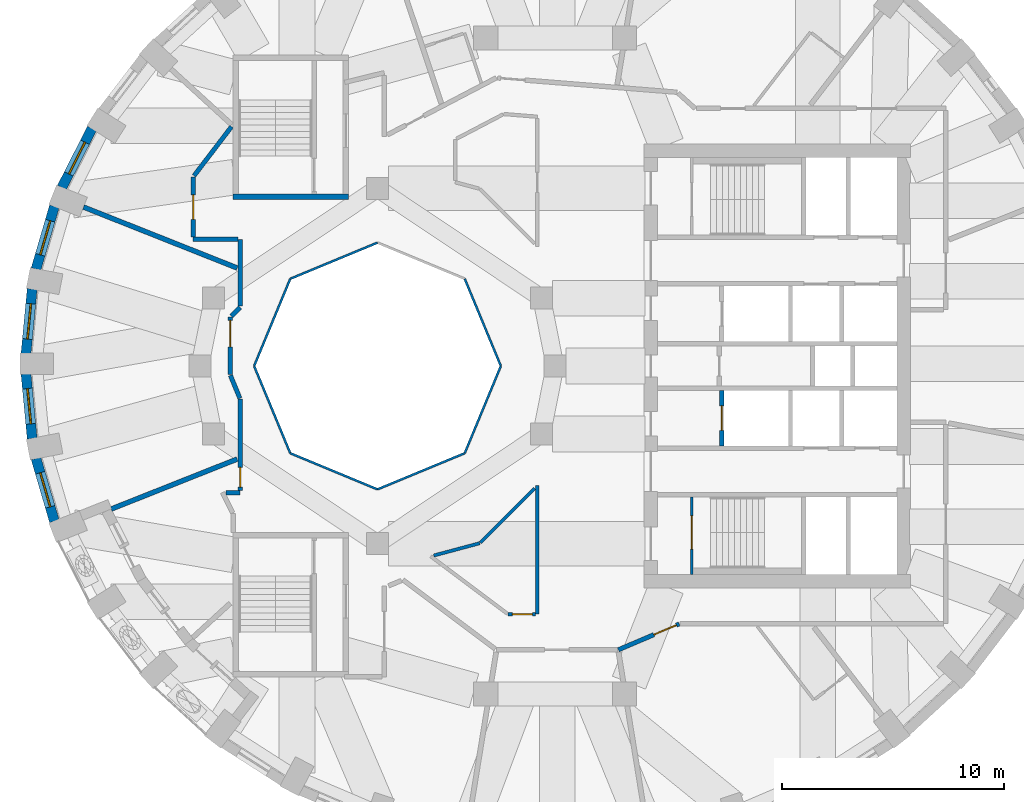
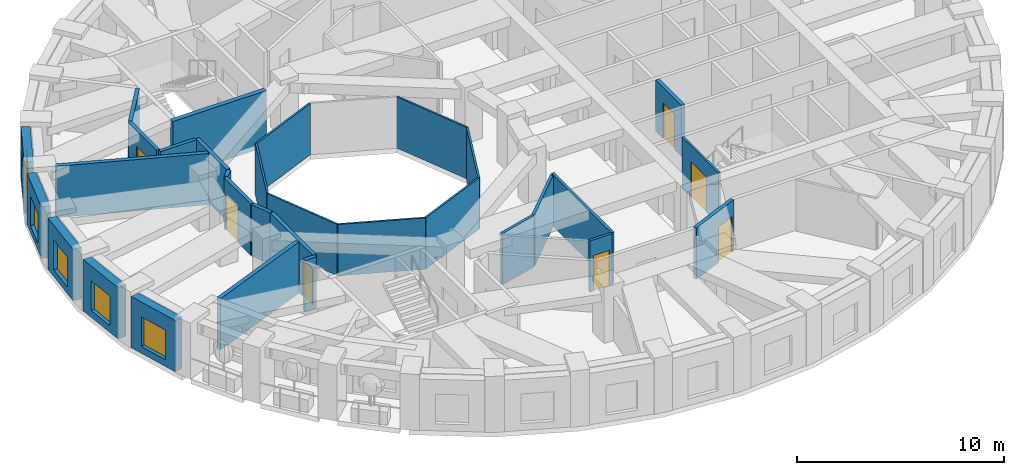
# One storey, part 4 of 11: 31 walls, 7 doors, 5 windows, 12 openings.
"""IFC4 building model written with IfcOpenShell, lengths in metres."""

import ifcopenshell
import ifcopenshell.guid

model = None  # the IFC model being written
_history = None  # IfcOwnerHistory: only IFC2X3 demands one
_inside = {}  # id of a spatial element -> (the spatial element, [elements in it])
_under = {}  # id of a project, library or spatial element -> (it, [spatial elements below it])
_declared = {}  # id of a project -> (the project, [libraries it declares])
_typed = {}  # id of a type object -> (the type object, [elements of that type])
_made_of = {}  # id of a material, layer set ... -> (it, [elements and type objects made of it])


def new_model(schema):
    """Start an empty IFC model of exactly this schema.

    Asked for "IFC4X3", IfcOpenShell would pick the latest addendum, in which some entities
    have other attributes; the version numbers below select the first issue.
    IFC2X3 requires an IfcOwnerHistory on every rooted entity: one is made here for all.
    """
    global model, _history
    if schema == "IFC4X3":
        model = ifcopenshell.file(schema_version=(4, 3, 0, 0))
    else:
        model = ifcopenshell.file(schema=schema)
    _inside.clear()
    _under.clear()
    _declared.clear()
    _typed.clear()
    _made_of.clear()
    _history = None
    if model.schema == "IFC2X3":
        org = make("IfcOrganization", Name="unknown")
        user = make(
            "IfcPersonAndOrganization",
            ThePerson=make("IfcPerson", FamilyName="unknown"),
            TheOrganization=org,
        )
        app = make(
            "IfcApplication",
            ApplicationDeveloper=org,
            Version="unknown",
            ApplicationFullName="unknown",
            ApplicationIdentifier="unknown",
        )
        _history = make(
            "IfcOwnerHistory",
            OwningUser=user,
            OwningApplication=app,
            ChangeAction="ADDED",
            CreationDate=0,
        )
    return model


def make(cls, **values):
    """One entity of the class cls with the attributes given. An attribute that is None is left unset."""
    return model.create_entity(
        cls, **{name: value for name, value in values.items() if value is not None}
    )


def rooted(cls, **values):
    """An entity with a GlobalId (a new one), such as an element, a storey or a relation."""
    return make(cls, GlobalId=ifcopenshell.guid.new(), OwnerHistory=_history, **values)


def si_unit(unit_type, name, prefix=None):
    """IfcSIUnit, for example si_unit("LENGTHUNIT", "METRE", prefix="MILLI")."""
    return make("IfcSIUnit", UnitType=unit_type, Prefix=prefix, Name=name)


def assignment(units):
    """IfcUnitAssignment: the units of a project."""
    return None if units is None else make("IfcUnitAssignment", Units=units)


def point(xyz):
    """IfcCartesianPoint."""
    return None if xyz is None else make("IfcCartesianPoint", Coordinates=xyz)


def direction(xyz):
    """IfcDirection."""
    return None if xyz is None else make("IfcDirection", DirectionRatios=xyz)


def frame(location, z_axis=None, x_axis=None):
    """IfcAxis2Placement3D, a coordinate frame: its origin and axes. An axis left out is left unset."""
    return make(
        "IfcAxis2Placement3D",
        Location=point(location),
        Axis=direction(z_axis),
        RefDirection=direction(x_axis),
    )


def frame_2d(location, x_axis=None):
    """IfcAxis2Placement2D, a coordinate frame in the plane: its origin and x axis."""
    return make(
        "IfcAxis2Placement2D", Location=point(location), RefDirection=direction(x_axis)
    )


def origin():
    """The frame at (0, 0, 0) with its axes left unset."""
    return frame((0.0, 0.0, 0.0))


def place(relative_to, where):
    """IfcLocalPlacement: puts the frame where relative to a parent placement (None: the world)."""
    return make(
        "IfcLocalPlacement", PlacementRelTo=relative_to, RelativePlacement=where
    )


def context(
    kind, dimensions, precision=None, world=None, true_north=None, identifier=None
):
    """IfcGeometricRepresentationContext, for example the 3D "Model" context."""
    return make(
        "IfcGeometricRepresentationContext",
        ContextIdentifier=identifier,
        ContextType=kind,
        CoordinateSpaceDimension=dimensions,
        Precision=precision,
        WorldCoordinateSystem=world,
        TrueNorth=true_north,
    )


def subcontext(parent, identifier, kind, view, scale=None):
    """IfcGeometricRepresentationSubContext, for example "Body" below "Model"."""
    return make(
        "IfcGeometricRepresentationSubContext",
        ContextIdentifier=identifier,
        ContextType=kind,
        ParentContext=parent,
        TargetScale=scale,
        TargetView=view,
    )


def project(units=None, contexts=None):
    """IfcProject with its units and contexts."""
    return rooted(
        "IfcProject",
        Name="project",
        RepresentationContexts=contexts,
        UnitsInContext=assignment(units),
    )


def spatial(cls, under=None, at=None, **own):
    """A site, building, storey or space (cls), placed at a placement, below another one or the project."""
    s = rooted(cls, ObjectPlacement=at, **own)
    if under is not None:
        _under.setdefault(under.id(), (under, []))[1].append(s)
    return s


def profile(cls, at=None, kind="AREA", **sizes):
    """A parametric profile (cls). Its sizes go by their IFC names, for example OverallWidth=200.0."""
    return make(cls, ProfileType=kind, Position=at, **sizes)


def rectangle(**sizes):
    """IfcRectangleProfileDef."""
    return profile("IfcRectangleProfileDef", **sizes)


def extrude(swept, where, along, depth):
    """IfcExtrudedAreaSolid: the profile swept, set in the frame where, extruded along a direction by depth."""
    return make(
        "IfcExtrudedAreaSolid",
        SweptArea=swept,
        Position=where,
        ExtrudedDirection=direction(along),
        Depth=depth,
    )


def shape(context_of_items, identifier, shape_type, items):
    """IfcShapeRepresentation: the items that make up one representation, for example the "Body"."""
    return make(
        "IfcShapeRepresentation",
        ContextOfItems=context_of_items,
        RepresentationIdentifier=identifier,
        RepresentationType=shape_type,
        Items=items,
    )


def material(Name=None, Category=None):
    """IfcMaterial."""
    return make("IfcMaterial", Name=Name, Category=Category)


def layer(
    of_material, thickness, ventilated=None, Name=None, Category=None, Priority=None
):
    """IfcMaterialLayer: one layer of a wall or slab, of a material (None: an air gap)."""
    return make(
        "IfcMaterialLayer",
        Material=of_material,
        LayerThickness=thickness,
        IsVentilated=ventilated,
        Name=Name,
        Category=Category,
        Priority=Priority,
    )


def layer_set(layers, Name=None):
    """IfcMaterialLayerSet."""
    return make("IfcMaterialLayerSet", MaterialLayers=layers, LayerSetName=Name)


def made_of(thing, what):
    """Note that an element or type object is made of a material, layer set ...; save() writes the relation."""
    if what is not None:
        _made_of.setdefault(what.id(), (what, []))[1].append(thing)
    return thing


def type_object(cls, material=None, **own):
    """A type object (cls), such as IfcWallType, which elements share."""
    return made_of(rooted(cls, **own), material)


def element(
    cls,
    number,
    at=None,
    inside=None,
    cuts=None,
    type_object=None,
    material=None,
    context=None,
    identifier="Body",
    shape_type=None,
    held_by="IfcProductDefinitionShape",
    body=None,
    shapes=None,
    **own,
):
    """One element of the class cls, such as IfcWall. Its Tag is "e" and its number.

    at: its placement. inside: the storey or other place that contains it. cuts: it is an
    opening in that element (IfcRelVoidsElement). A single representation is given by context,
    identifier, shape_type and body (its items); several are given by shapes. held_by: the class
    of the entity that holds the representations. save() writes the other relations.
    """
    e = rooted(cls, Tag="e%d" % number, ObjectPlacement=at, **own)
    if body is not None:
        shapes = [shape(context, identifier, shape_type, body)]
    if shapes is not None:
        e.Representation = make(held_by, Representations=shapes)
    if inside is not None:
        _inside.setdefault(inside.id(), (inside, []))[1].append(e)
    if cuts is not None:
        rooted(
            "IfcRelVoidsElement", RelatingBuildingElement=cuts, RelatedOpeningElement=e
        )
    if type_object is not None:
        _typed.setdefault(type_object.id(), (type_object, []))[1].append(e)
    return made_of(e, material)


def fill(opening, filler):
    """IfcRelFillsElement: the door or window that sits in an opening."""
    return rooted(
        "IfcRelFillsElement",
        RelatingOpeningElement=opening,
        RelatedBuildingElement=filler,
    )


def aggregate(whole, parts):
    """IfcRelAggregates: a whole, such as a stair, and the parts it consists of."""
    return rooted("IfcRelAggregates", RelatingObject=whole, RelatedObjects=parts)


def save(model, path):
    """Write the relations noted so far, then the file.

    IfcRelAggregates (storeys below a building ...), IfcRelContainedInSpatialStructure (elements
    in a storey), IfcRelDefinesByType, IfcRelAssociatesMaterial and IfcRelDeclares: one each for
    every whole, place, type object, material and project.
    """
    for whole, parts in _under.values():
        aggregate(whole, parts)
    for where, things in _inside.values():
        rooted(
            "IfcRelContainedInSpatialStructure",
            RelatedElements=things,
            RelatingStructure=where,
        )
    for kind, things in _typed.values():
        rooted("IfcRelDefinesByType", RelatedObjects=things, RelatingType=kind)
    for what, things in _made_of.values():
        rooted("IfcRelAssociatesMaterial", RelatedObjects=things, RelatingMaterial=what)
    for by, libraries in _declared.values():
        rooted("IfcRelDeclares", RelatingContext=by, RelatedDefinitions=libraries)
    model.write(path)


model = new_model("IFC4")

# Units and contexts
model_context = context("Model", 3, precision=1e-05, world=origin(), true_north=direction((0.0, 1.0)))
body_context = subcontext(model_context, "Body", "Model", "MODEL_VIEW")
ifc_project = project(units=[si_unit("LENGTHUNIT", "METRE"), si_unit("AREAUNIT", "SQUARE_METRE"), si_unit("VOLUMEUNIT", "CUBIC_METRE"), si_unit("PLANEANGLEUNIT", "RADIAN"), si_unit("MASSUNIT", "GRAM", prefix="KILO")], contexts=[model_context])

# Site, building, storey
site_placement = place(None, origin())
site = spatial("IfcSite", under=ifc_project, at=site_placement, CompositionType="ELEMENT")
building_placement = place(site_placement, origin())
building = spatial("IfcBuilding", under=site, at=building_placement, Name="Taillehof Tower", CompositionType="ELEMENT")
storey_placement = place(building_placement, frame((0.0, 0.0, 174.800048828125)))
storey = spatial("IfcBuildingStorey", under=building, at=storey_placement, Name="L49", CompositionType="ELEMENT", Elevation=174.800048828125)

# Walls
ifc_material_1 = material(Name="Fire-resisting glass in steel frame", Category="steel")
ifc_layer_1 = layer(ifc_material_1, 0.10009765625)
ifc_layer_set_1 = layer_set([ifc_layer_1], Name="Atrium fire-resisting screen EI 60 100")
wall_type_1 = type_object("IfcWallType", Name="Atrium fire-resisting screen EI 60 100", PredefinedType="PARTITIONING", material=ifc_layer_set_1)
for number, where, z_axis, x_axis, name in (
    (1, (-2.44580078125, 0.0, 0.0), (0.0, 0.0, 1.0), (-0.382730523909, -0.923860025149, 0.0), "Atrium screen"),
    (2, (-4.07275390625, -3.92724609375, 0.0), (0.0, 0.0, 1.0), (-0.923860025149, -0.382730523909, 0.0), "Atrium screen"),
    (3, (-8.0, -5.55419921875, 0.0), (0.0, 0.0, 1.0), (-0.923860025149, 0.382730523909, 0.0), "Atrium screen"),
    (4, (-11.92724609375, -3.92724609375, 0.0), (0.0, 0.0, 1.0), (-0.382730523909, 0.923860025149, 0.0), "Atrium screen"),
    (5, (-13.55419921875, 0.0, 0.0), (0.0, 0.0, 1.0), (0.382730523909, 0.923860025149, 0.0), "Atrium screen"),
    (6, (-11.92724609375, 3.92724609375, 0.0), (0.0, 0.0, 1.0), (0.923860025149, 0.382730523909, 0.0), "Atrium screen"),
    (7, (-4.07275390625, 3.92724609375, 0.0), (0.0, 0.0, 1.0), (0.382730523909, -0.923860025149, 0.0), "Atrium screen"),
):
    element("IfcWall", number, at=place(storey_placement, frame(where, z_axis=z_axis, x_axis=x_axis)), inside=storey, type_object=wall_type_1, Name=name, PredefinedType="PARTITIONING", context=body_context, shape_type="SweptSolid", body=[
        extrude(rectangle(XDim=4.2509765625, YDim=0.10009765625, at=frame_2d((2.12548828125, 0.0))), origin(), (0.0, 0.0, 1.0), 3.02001953125),
    ])

# Wall, opening, window
ifc_material_2 = material(Name="Brick masonry", Category="masonry")
ifc_layer_2 = layer(ifc_material_2, 0.449951171875)
ifc_layer_set_2 = layer_set([ifc_layer_2], Name="Brick infill wall 450")
wall_type_2 = type_object("IfcWallType", Name="Brick infill wall 450", PredefinedType="SOLIDWALL", material=ifc_layer_set_2)
wall_1_placement = place(storey_placement, frame((-20.859375, 10.697021484375, 0.0), z_axis=(0.0, 0.0, 1.0), x_axis=(-0.454133999889, -0.890933392653, 0.0)))
wall_1 = element("IfcWall", 8, at=wall_1_placement, inside=storey, type_object=wall_type_2, Name="Brick wall L49 bay 16", PredefinedType="SOLIDWALL", context=body_context, shape_type="SweptSolid", body=[
    extrude(rectangle(XDim=2.98583984375, YDim=0.449951171875, at=frame_2d((1.492919921875, 0.0))), origin(), (0.0, 0.0, 1.0), 3.02001953125),
])
opening_1_placement = place(wall_1_placement, frame((0.69287109375, 0.0, 0.39990234375)))
opening_1 = element("IfcOpeningElement", 9, at=opening_1_placement, cuts=wall_1, Name="Opening W3", PredefinedType="OPENING", context=body_context, shape_type="SweptSolid", body=[
    extrude(rectangle(XDim=1.60009765625, YDim=1.75, at=frame_2d((0.800048828125, 0.875))), frame((0.0, 0.23486328125, 0.0), z_axis=(0.0, -1.0, 0.0), x_axis=(1.0, 0.0, 0.0)), (0.0, 0.0, 1.0), 0.469970703125),
])
ifc_material_3 = material(Name="Aluminium window frame with clear double glazing", Category="aluminium")
window_type = type_object("IfcWindowType", Name="Deep-set window 1600x1750", PartitioningType="SINGLE_PANEL", PredefinedType="WINDOW", material=ifc_material_3)
window_1_placement = place(opening_1_placement, origin())
window_1 = element("IfcWindow", 10, at=window_1_placement, inside=storey, type_object=window_type, Name="W3", OverallHeight=1.75, OverallWidth=1.60009765625, PartitioningType="SINGLE_PANEL", PredefinedType="WINDOW", context=body_context, shape_type="SweptSolid", body=[
    extrude(rectangle(XDim=1.60009765625, YDim=1.75, at=frame_2d((0.800048828125, 0.875))), frame((0.0, 0.034912109375, 0.0), z_axis=(0.0, -1.0, 0.0), x_axis=(1.0, 0.0, 0.0)), (0.0, 0.0, 1.0), 0.06005859375),
])
fill(opening_1, window_1)

wall_2_placement = place(storey_placement, frame((-22.55126953125, 7.19091796875, 0.0), z_axis=(0.0, 0.0, 1.0), x_axis=(-0.281125768296, -0.959670934435, 0.0)))
wall_2 = element("IfcWall", 11, at=wall_2_placement, inside=storey, type_object=wall_type_2, Name="Brick wall L49 bay 17", PredefinedType="SOLIDWALL", context=body_context, shape_type="SweptSolid", body=[
    extrude(rectangle(XDim=2.947509765625, YDim=0.449951171875, at=frame_2d((1.4736328125, 0.0))), origin(), (0.0, 0.0, 1.0), 3.02001953125),
])
opening_2_placement = place(wall_2_placement, frame((0.673583984375, 0.0, 0.39990234375)))
opening_2 = element("IfcOpeningElement", 12, at=opening_2_placement, cuts=wall_2, Name="Opening W3", PredefinedType="OPENING", context=body_context, shape_type="SweptSolid", body=[
    extrude(rectangle(XDim=1.60009765625, YDim=1.75, at=frame_2d((0.800048828125, 0.875))), frame((0.0, 0.23486328125, 0.0), z_axis=(0.0, -1.0, 0.0), x_axis=(1.0, 0.0, 0.0)), (0.0, 0.0, 1.0), 0.469970703125),
])
window_2_placement = place(opening_2_placement, origin())
window_2 = element("IfcWindow", 13, at=window_2_placement, inside=storey, type_object=window_type, Name="W3", OverallHeight=1.75, OverallWidth=1.60009765625, PartitioningType="SINGLE_PANEL", PredefinedType="WINDOW", context=body_context, shape_type="SweptSolid", body=[
    extrude(rectangle(XDim=1.60009765625, YDim=1.75, at=frame_2d((0.800048828125, 0.875))), frame((0.0, 0.034912109375, 0.0), z_axis=(0.0, -1.0, 0.0), x_axis=(1.0, 0.0, 0.0)), (0.0, 0.0, 1.0), 0.06005859375),
])
fill(opening_2, window_2)

wall_3_placement = place(storey_placement, frame((-23.5517578125, 3.468505859375, 0.0), z_axis=(0.0, 0.0, 1.0), x_axis=(-0.095265737322, -0.995451876935, 0.0)))
wall_3 = element("IfcWall", 14, at=wall_3_placement, inside=storey, type_object=wall_type_2, Name="Brick wall L49 bay 18", PredefinedType="SOLIDWALL", context=body_context, shape_type="SweptSolid", body=[
    extrude(rectangle(XDim=2.9267578125, YDim=0.449951171875, at=frame_2d((1.46337890625, 0.0))), origin(), (0.0, 0.0, 1.0), 3.02001953125),
])
opening_3_placement = place(wall_3_placement, frame((0.663330078125, 0.0, 0.39990234375)))
opening_3 = element("IfcOpeningElement", 15, at=opening_3_placement, cuts=wall_3, Name="Opening W3", PredefinedType="OPENING", context=body_context, shape_type="SweptSolid", body=[
    extrude(rectangle(XDim=1.60009765625, YDim=1.75, at=frame_2d((0.800048828125, 0.875))), frame((0.0, 0.23486328125, 0.0), z_axis=(0.0, -1.0, 0.0), x_axis=(1.0, 0.0, 0.0)), (0.0, 0.0, 1.0), 0.469970703125),
])
window_3_placement = place(opening_3_placement, origin())
window_3 = element("IfcWindow", 16, at=window_3_placement, inside=storey, type_object=window_type, Name="W3", OverallHeight=1.75, OverallWidth=1.60009765625, PartitioningType="SINGLE_PANEL", PredefinedType="WINDOW", context=body_context, shape_type="SweptSolid", body=[
    extrude(rectangle(XDim=1.60009765625, YDim=1.75, at=frame_2d((0.800048828125, 0.875))), frame((0.0, 0.034912109375, 0.0), z_axis=(0.0, -1.0, 0.0), x_axis=(1.0, 0.0, 0.0)), (0.0, 0.0, 1.0), 0.06005859375),
])
fill(opening_3, window_3)

wall_4_placement = place(storey_placement, frame((-23.83056640625, -0.35498046875, 0.0), z_axis=(0.0, 0.0, 1.0), x_axis=(0.095257827044, -0.995452633924, 0.0)))
wall_4 = element("IfcWall", 17, at=wall_4_placement, inside=storey, type_object=wall_type_2, Name="Brick wall L49 bay 19", PredefinedType="SOLIDWALL", context=body_context, shape_type="SweptSolid", body=[
    extrude(rectangle(XDim=2.927001953125, YDim=0.449951171875, at=frame_2d((1.46337890625, 0.0))), origin(), (0.0, 0.0, 1.0), 3.02001953125),
])
opening_4_placement = place(wall_4_placement, frame((0.663330078125, 0.0, 0.39990234375)))
opening_4 = element("IfcOpeningElement", 18, at=opening_4_placement, cuts=wall_4, Name="Opening W3", PredefinedType="OPENING", context=body_context, shape_type="SweptSolid", body=[
    extrude(rectangle(XDim=1.60009765625, YDim=1.75, at=frame_2d((0.800048828125, 0.875))), frame((0.0, 0.23486328125, 0.0), z_axis=(0.0, -1.0, 0.0), x_axis=(1.0, 0.0, 0.0)), (0.0, 0.0, 1.0), 0.469970703125),
])
window_4_placement = place(opening_4_placement, origin())
window_4 = element("IfcWindow", 19, at=window_4_placement, inside=storey, type_object=window_type, Name="W3", OverallHeight=1.75, OverallWidth=1.60009765625, PartitioningType="SINGLE_PANEL", PredefinedType="WINDOW", context=body_context, shape_type="SweptSolid", body=[
    extrude(rectangle(XDim=1.60009765625, YDim=1.75, at=frame_2d((0.800048828125, 0.875))), frame((0.0, 0.034912109375, 0.0), z_axis=(0.0, -1.0, 0.0), x_axis=(1.0, 0.0, 0.0)), (0.0, 0.0, 1.0), 0.06005859375),
])
fill(opening_4, window_4)

wall_5_placement = place(storey_placement, frame((-23.3798828125, -4.162353515625, 0.0), z_axis=(0.0, 0.0, 1.0), x_axis=(0.281125768296, -0.959670934435, 0.0)))
wall_5 = element("IfcWall", 20, at=wall_5_placement, inside=storey, type_object=wall_type_2, Name="Brick wall L49 bay 20", PredefinedType="SOLIDWALL", context=body_context, shape_type="SweptSolid", body=[
    extrude(rectangle(XDim=2.947509765625, YDim=0.449951171875, at=frame_2d((1.4736328125, 0.0))), origin(), (0.0, 0.0, 1.0), 3.02001953125),
])
opening_5_placement = place(wall_5_placement, frame((0.673583984375, 0.0, 0.39990234375)))
opening_5 = element("IfcOpeningElement", 21, at=opening_5_placement, cuts=wall_5, Name="Opening W3", PredefinedType="OPENING", context=body_context, shape_type="SweptSolid", body=[
    extrude(rectangle(XDim=1.60009765625, YDim=1.75, at=frame_2d((0.800048828125, 0.875))), frame((0.0, 0.23486328125, 0.0), z_axis=(0.0, -1.0, 0.0), x_axis=(1.0, 0.0, 0.0)), (0.0, 0.0, 1.0), 0.469970703125),
])
window_5_placement = place(opening_5_placement, origin())
window_5 = element("IfcWindow", 22, at=window_5_placement, inside=storey, type_object=window_type, Name="W3", OverallHeight=1.75, OverallWidth=1.60009765625, PartitioningType="SINGLE_PANEL", PredefinedType="WINDOW", context=body_context, shape_type="SweptSolid", body=[
    extrude(rectangle(XDim=1.60009765625, YDim=1.75, at=frame_2d((0.800048828125, 0.875))), frame((0.0, 0.034912109375, 0.0), z_axis=(0.0, -1.0, 0.0), x_axis=(1.0, 0.0, 0.0)), (0.0, 0.0, 1.0), 0.06005859375),
])
fill(opening_5, window_5)

# Wall
ifc_material_4 = material(Name="Gypsum board on steel studs, two layers each side", Category="steel")
ifc_layer_3 = layer(ifc_material_4, 0.199951171875)
ifc_layer_set_3 = layer_set([ifc_layer_3], Name="Compartment wall corridor 200")
wall_type_3 = type_object("IfcWallType", Name="Compartment wall corridor 200", PredefinedType="PARTITIONING", material=ifc_layer_set_3)
wall_6_placement = place(storey_placement, frame((-14.821533203125, -5.699951171875, 0.0), z_axis=(0.0, 0.0, 1.0), x_axis=(1.0, 0.0, 0.0)))
element("IfcWall", 23, at=wall_6_placement, inside=storey, type_object=wall_type_3, Name="Compartment wall", PredefinedType="PARTITIONING", context=body_context, shape_type="SweptSolid", body=[
    extrude(rectangle(XDim=0.639404296875, YDim=0.199951171875, at=frame_2d((0.31982421875, 0.0))), origin(), (0.0, 0.0, 1.0), 3.02001953125),
])

# Wall, opening, door
wall_7_placement = place(storey_placement, frame((-14.18212890625, -5.599853515625, 0.0), z_axis=(0.0, 0.0, 1.0), x_axis=(0.0, 1.0, 0.0)))
wall_7 = element("IfcWall", 24, at=wall_7_placement, inside=storey, type_object=wall_type_3, Name="Compartment wall", PredefinedType="PARTITIONING", context=body_context, shape_type="SweptSolid", body=[
    extrude(rectangle(XDim=4.110595703125, YDim=0.199951171875, at=frame_2d((2.05517578125, 0.0))), origin(), (0.0, 0.0, 1.0), 3.02001953125),
])
opening_6_placement = place(wall_7_placement, frame((0.139892578125, 0.0, 0.0)))
opening_6 = element("IfcOpeningElement", 25, at=opening_6_placement, cuts=wall_7, Name="Opening D4947", PredefinedType="OPENING", context=body_context, shape_type="SweptSolid", body=[
    extrude(rectangle(XDim=0.89990234375, YDim=2.10009765625, at=frame_2d((0.449951171875, 1.050048828125))), frame((0.0, 0.10986328125, 0.0), z_axis=(0.0, -1.0, 0.0), x_axis=(1.0, 0.0, 0.0)), (0.0, 0.0, 1.0), 0.219970703125),
])
ifc_material_5 = material(Name="Timber door leaf in steel frame", Category="steel")
door_type_1 = type_object("IfcDoorType", Name="Service room door EI 30 900 x 2100", OperationType="SINGLE_SWING_LEFT", PredefinedType="DOOR", material=ifc_material_5)
door_1_placement = place(opening_6_placement, origin())
door_1 = element("IfcDoor", 26, at=door_1_placement, inside=storey, type_object=door_type_1, Name="D4947", OperationType="SINGLE_SWING_LEFT", OverallHeight=2.10009765625, OverallWidth=0.89990234375, PredefinedType="DOOR", context=body_context, shape_type="SweptSolid", body=[
    extrude(rectangle(XDim=0.89990234375, YDim=2.10009765625, at=frame_2d((0.449951171875, 1.050048828125))), frame((0.0, 0.02490234375, 0.0), z_axis=(0.0, -1.0, 0.0), x_axis=(1.0, 0.0, 0.0)), (0.0, 0.0, 1.0), 0.050048828125),
])
fill(opening_6, door_1)

# Wall
wall_8_placement = place(storey_placement, frame((-14.197265625, -1.4521484375, 0.0), z_axis=(0.0, 0.0, 1.0), x_axis=(-0.382750994913, 0.923851544293, 0.0)))
element("IfcWall", 27, at=wall_8_placement, inside=storey, type_object=wall_type_3, Name="Compartment wall", PredefinedType="PARTITIONING", context=body_context, shape_type="SweptSolid", body=[
    extrude(rectangle(XDim=1.1162109375, YDim=0.199951171875, at=frame_2d((0.55810546875, 0.0))), origin(), (0.0, 0.0, 1.0), 3.02001953125),
])

# Wall, opening, door
wall_9_placement = place(storey_placement, frame((-14.62451171875, -0.380859375, 0.0), z_axis=(0.0, 0.0, 1.0), x_axis=(0.0, 1.0, 0.0)))
wall_9 = element("IfcWall", 28, at=wall_9_placement, inside=storey, type_object=wall_type_3, Name="Compartment wall", PredefinedType="PARTITIONING", context=body_context, shape_type="SweptSolid", body=[
    extrude(rectangle(XDim=2.580810546875, YDim=0.199951171875, at=frame_2d((1.29052734375, 0.0))), origin(), (0.0, 0.0, 1.0), 3.02001953125),
])
opening_7_placement = place(wall_9_placement, frame((1.24072265625, 0.0, 0.0)))
opening_7 = element("IfcOpeningElement", 29, at=opening_7_placement, cuts=wall_9, Name="Opening D4946", PredefinedType="OPENING", context=body_context, shape_type="SweptSolid", body=[
    extrude(rectangle(XDim=1.199951171875, YDim=2.10009765625, at=frame_2d((0.60009765625, 1.050048828125))), frame((0.0, 0.10986328125, 0.0), z_axis=(0.0, -1.0, 0.0), x_axis=(1.0, 0.0, 0.0)), (0.0, 0.0, 1.0), 0.219970703125),
])
ifc_material_6 = material(Name="Timber door leaf in steel frame", Category="steel")
door_type_2 = type_object("IfcDoorType", Name="Suite entrance door EI 30 1200 x 2100", OperationType="SINGLE_SWING_LEFT", PredefinedType="DOOR", material=ifc_material_6)
door_2_placement = place(opening_7_placement, origin())
door_2 = element("IfcDoor", 30, at=door_2_placement, inside=storey, type_object=door_type_2, Name="D4946", OperationType="SINGLE_SWING_RIGHT", OverallHeight=2.10009765625, OverallWidth=1.199951171875, PredefinedType="DOOR", context=body_context, shape_type="SweptSolid", body=[
    extrude(rectangle(XDim=1.199951171875, YDim=2.10009765625, at=frame_2d((0.60009765625, 1.050048828125))), frame((0.0, 0.02490234375, 0.0), z_axis=(0.0, -1.0, 0.0), x_axis=(1.0, 0.0, 0.0)), (0.0, 0.0, 1.0), 0.050048828125),
])
fill(opening_7, door_2)

# Walls
wall_10_placement = place(storey_placement, frame((-14.58203125, 2.242431640625, 0.0), z_axis=(0.0, 0.0, 1.0), x_axis=(0.706890969579, 0.707322526948, 0.0)))
element("IfcWall", 31, at=wall_10_placement, inside=storey, type_object=wall_type_3, Name="Compartment wall", PredefinedType="PARTITIONING", context=body_context, shape_type="SweptSolid", body=[
    extrude(rectangle(XDim=0.565673828125, YDim=0.199951171875, at=frame_2d((0.28271484375, 0.0))), origin(), (0.0, 0.0, 1.0), 3.02001953125),
])
wall_11_placement = place(storey_placement, frame((-14.18212890625, 2.70263671875, 0.0), z_axis=(0.0, 0.0, 1.0), x_axis=(0.0, 1.0, 0.0)))
element("IfcWall", 32, at=wall_11_placement, inside=storey, type_object=wall_type_3, Name="Compartment wall", PredefinedType="PARTITIONING", context=body_context, shape_type="SweptSolid", body=[
    extrude(rectangle(XDim=2.997314453125, YDim=0.199951171875, at=frame_2d((1.49853515625, 0.0))), origin(), (0.0, 0.0, 1.0), 3.02001953125),
])
wall_12_placement = place(storey_placement, frame((-14.2822265625, 5.699951171875, 0.0), z_axis=(0.0, 0.0, 1.0), x_axis=(-1.0, 0.0, 0.0)))
element("IfcWall", 33, at=wall_12_placement, inside=storey, type_object=wall_type_3, Name="Compartment wall", PredefinedType="PARTITIONING", context=body_context, shape_type="SweptSolid", body=[
    extrude(rectangle(XDim=2.017822265625, YDim=0.199951171875, at=frame_2d((1.0087890625, 0.0))), origin(), (0.0, 0.0, 1.0), 3.02001953125),
])

# Wall, opening, door
wall_13_placement = place(storey_placement, frame((-16.300048828125, 5.800048828125, 0.0), z_axis=(0.0, 0.0, 1.0), x_axis=(0.0, 1.0, 0.0)))
wall_13 = element("IfcWall", 34, at=wall_13_placement, inside=storey, type_object=wall_type_3, Name="Compartment wall", PredefinedType="PARTITIONING", context=body_context, shape_type="SweptSolid", body=[
    extrude(rectangle(XDim=2.718505859375, YDim=0.199951171875, at=frame_2d((1.359375, 0.0))), origin(), (0.0, 0.0, 1.0), 3.02001953125),
])
opening_8_placement = place(wall_13_placement, frame((0.809326171875, 0.0, 0.0)))
opening_8 = element("IfcOpeningElement", 35, at=opening_8_placement, cuts=wall_13, Name="Opening D4945", PredefinedType="OPENING", context=body_context, shape_type="SweptSolid", body=[
    extrude(rectangle(XDim=1.10009765625, YDim=2.10009765625, at=frame_2d((0.550048828125, 1.050048828125))), frame((0.0, 0.10986328125, 0.0), z_axis=(0.0, -1.0, 0.0), x_axis=(1.0, 0.0, 0.0)), (0.0, 0.0, 1.0), 0.219970703125),
])
ifc_material_7 = material(Name="Timber door leaf in steel frame", Category="steel")
door_type_3 = type_object("IfcDoorType", Name="Suite entrance door EI 30 1100 x 2100", OperationType="SINGLE_SWING_LEFT", PredefinedType="DOOR", material=ifc_material_7)
door_3_placement = place(opening_8_placement, origin())
door_3 = element("IfcDoor", 36, at=door_3_placement, inside=storey, type_object=door_type_3, Name="D4945", OperationType="SINGLE_SWING_RIGHT", OverallHeight=2.10009765625, OverallWidth=1.10009765625, PredefinedType="DOOR", context=body_context, shape_type="SweptSolid", body=[
    extrude(rectangle(XDim=1.10009765625, YDim=2.10009765625, at=frame_2d((0.550048828125, 1.050048828125))), frame((0.0, 0.02490234375, 0.0), z_axis=(0.0, -1.0, 0.0), x_axis=(1.0, 0.0, 0.0)), (0.0, 0.0, 1.0), 0.050048828125),
])
fill(opening_8, door_3)

# Wall
wall_14_placement = place(storey_placement, frame((-16.263427734375, 8.566162109375, 0.0), z_axis=(0.0, 0.0, 1.0), x_axis=(0.606668946119, 0.794954583492, 0.0)))
element("IfcWall", 37, at=wall_14_placement, inside=storey, type_object=wall_type_3, Name="Compartment wall", PredefinedType="PARTITIONING", context=body_context, shape_type="SweptSolid", body=[
    extrude(rectangle(XDim=2.78515625, YDim=0.199951171875, at=frame_2d((1.392578125, 0.0))), origin(), (0.0, 0.0, 1.0), 3.02001953125),
])

# Wall, opening, door
wall_15_placement = place(storey_placement, frame((5.587158203125, -11.61572265625, 0.0), z_axis=(0.0, 0.0, 1.0), x_axis=(-0.920312454828, -0.391184081334, 0.0)))
wall_15 = element("IfcWall", 38, at=wall_15_placement, inside=storey, type_object=wall_type_3, Name="Compartment wall", PredefinedType="PARTITIONING", context=body_context, shape_type="SweptSolid", body=[
    extrude(rectangle(XDim=2.97509765625, YDim=0.199951171875, at=frame_2d((1.487548828125, 0.0))), origin(), (0.0, 0.0, 1.0), 3.02001953125),
])
opening_9_placement = place(wall_15_placement, frame((0.139892578125, 0.0, 0.0)))
opening_9 = element("IfcOpeningElement", 39, at=opening_9_placement, cuts=wall_15, Name="Opening D4950", PredefinedType="OPENING", context=body_context, shape_type="SweptSolid", body=[
    extrude(rectangle(XDim=1.10009765625, YDim=2.10009765625, at=frame_2d((0.550048828125, 1.050048828125))), frame((0.0, 0.10986328125, 0.0), z_axis=(0.0, -1.0, 0.0), x_axis=(1.0, 0.0, 0.0)), (0.0, 0.0, 1.0), 0.219970703125),
])
door_4_placement = place(opening_9_placement, origin())
door_4 = element("IfcDoor", 40, at=door_4_placement, inside=storey, type_object=door_type_3, Name="D4950", OperationType="SINGLE_SWING_LEFT", OverallHeight=2.10009765625, OverallWidth=1.10009765625, PredefinedType="DOOR", context=body_context, shape_type="SweptSolid", body=[
    extrude(rectangle(XDim=1.10009765625, YDim=2.10009765625, at=frame_2d((0.550048828125, 1.050048828125))), frame((0.0, 0.02490234375, 0.0), z_axis=(0.0, -1.0, 0.0), x_axis=(1.0, 0.0, 0.0)), (0.0, 0.0, 1.0), 0.050048828125),
])
fill(opening_9, door_4)

# Walls
ifc_material_8 = material(Name="Gypsum board on double steel studs with mineral wool", Category="steel")
ifc_layer_4 = layer(ifc_material_8, 0.219970703125)
ifc_layer_set_4 = layer_set([ifc_layer_4], Name="Compartment wall guest room 220")
wall_type_4 = type_object("IfcWallType", Name="Compartment wall guest room 220", PredefinedType="PARTITIONING", material=ifc_layer_set_4)
wall_16_placement = place(storey_placement, frame((-21.23876953125, 7.15966796875, 0.0), z_axis=(0.0, 0.0, 1.0), x_axis=(0.929511234156, -0.368793798182, 0.0)))
element("IfcWall", 41, at=wall_16_placement, inside=storey, type_object=wall_type_4, Name="Compartment wall", PredefinedType="PARTITIONING", context=body_context, shape_type="SweptSolid", body=[
    extrude(rectangle(XDim=7.444091796875, YDim=0.219970703125, at=frame_2d((3.72216796875, 0.0))), origin(), (0.0, 0.0, 1.0), 3.02001953125),
])
wall_17_placement = place(storey_placement, frame((-19.98974609375, -6.441162109375, 0.0), z_axis=(0.0, 0.0, 1.0), x_axis=(0.929499857769, 0.368822470042, 0.0)))
element("IfcWall", 42, at=wall_17_placement, inside=storey, type_object=wall_type_4, Name="Compartment wall", PredefinedType="PARTITIONING", context=body_context, shape_type="SweptSolid", body=[
    extrude(rectangle(XDim=6.1005859375, YDim=0.219970703125, at=frame_2d((3.05029296875, 0.0))), origin(), (0.0, 0.0, 1.0), 3.02001953125),
])
ifc_material_9 = material(Name="Gypsum board on steel studs, two layers each side", Category="steel")
ifc_layer_5 = layer(ifc_material_9, 0.14990234375)
ifc_layer_set_5 = layer_set([ifc_layer_5], Name="Compartment wall service room 150")
wall_type_5 = type_object("IfcWallType", Name="Compartment wall service room 150", PredefinedType="PARTITIONING", material=ifc_layer_set_5)
wall_18_placement = place(storey_placement, frame((-0.800048828125, -5.386474609375, 0.0), z_axis=(0.0, 0.0, 1.0), x_axis=(0.0, -1.0, 0.0)))
element("IfcWall", 43, at=wall_18_placement, inside=storey, type_object=wall_type_5, Name="Compartment wall", PredefinedType="PARTITIONING", context=body_context, shape_type="SweptSolid", body=[
    extrude(rectangle(XDim=5.79296875, YDim=0.14990234375, at=frame_2d((2.896484375, 0.0))), origin(), (0.0, 0.0, 1.0), 3.02001953125),
])

# Wall, opening, door
wall_19_placement = place(storey_placement, frame((-0.880126953125, -11.179443359375, 0.0), z_axis=(0.0, 0.0, 1.0), x_axis=(-1.0, 0.0, 0.0)))
wall_19 = element("IfcWall", 44, at=wall_19_placement, inside=storey, type_object=wall_type_5, Name="Compartment wall", PredefinedType="PARTITIONING", context=body_context, shape_type="SweptSolid", body=[
    extrude(rectangle(XDim=1.236083984375, YDim=0.14990234375, at=frame_2d((0.6181640625, 0.0))), origin(), (0.0, 0.0, 1.0), 3.02001953125),
])
opening_10_placement = place(wall_19_placement, frame((0.139892578125, 0.0, 0.0)))
opening_10 = element("IfcOpeningElement", 45, at=opening_10_placement, cuts=wall_19, Name="Opening D4956", PredefinedType="OPENING", context=body_context, shape_type="SweptSolid", body=[
    extrude(rectangle(XDim=0.89990234375, YDim=2.10009765625, at=frame_2d((0.449951171875, 1.050048828125))), frame((0.0, 0.0849609375, 0.0), z_axis=(0.0, -1.0, 0.0), x_axis=(1.0, 0.0, 0.0)), (0.0, 0.0, 1.0), 0.169921875),
])
door_5_placement = place(opening_10_placement, origin())
door_5 = element("IfcDoor", 46, at=door_5_placement, inside=storey, type_object=door_type_1, Name="D4956", OperationType="SINGLE_SWING_RIGHT", OverallHeight=2.10009765625, OverallWidth=0.89990234375, PredefinedType="DOOR", context=body_context, shape_type="SweptSolid", body=[
    extrude(rectangle(XDim=0.89990234375, YDim=2.10009765625, at=frame_2d((0.449951171875, 1.050048828125))), frame((0.0, 0.02490234375, 0.0), z_axis=(0.0, -1.0, 0.0), x_axis=(1.0, 0.0, 0.0)), (0.0, 0.0, 1.0), 0.050048828125),
])
fill(opening_10, door_5)

# Walls
wall_20_placement = place(storey_placement, frame((-5.462890625, -8.534423828125, 0.0), z_axis=(0.0, 0.0, 1.0), x_axis=(0.965888027346, 0.258960071498, 0.0)))
element("IfcWall", 47, at=wall_20_placement, inside=storey, type_object=wall_type_5, Name="Compartment wall", PredefinedType="PARTITIONING", context=body_context, shape_type="SweptSolid", body=[
    extrude(rectangle(XDim=2.142822265625, YDim=0.14990234375, at=frame_2d((1.0712890625, 0.0))), origin(), (0.0, 0.0, 1.0), 3.02001953125),
])
wall_21_placement = place(storey_placement, frame((-3.36474609375, -7.951171875, 0.0), z_axis=(0.0, 0.0, 1.0), x_axis=(0.707106781187, 0.707106781187, 0.0)))
element("IfcWall", 48, at=wall_21_placement, inside=storey, type_object=wall_type_5, Name="Compartment wall", PredefinedType="PARTITIONING", context=body_context, shape_type="SweptSolid", body=[
    extrude(rectangle(XDim=3.44677734375, YDim=0.14990234375, at=frame_2d((1.723388671875, 0.0))), origin(), (0.0, 0.0, 1.0), 3.02001953125),
])

# Wall, opening, door
ifc_material_10 = material(Name="Concrete C50/60", Category="concrete")
ifc_layer_6 = layer(ifc_material_10, 0.199951171875)
ifc_layer_set_6 = layer_set([ifc_layer_6], Name="Shaft wall C50/60 200")
wall_type_6 = type_object("IfcWallType", Name="Shaft wall C50/60 200", PredefinedType="SHEAR", material=ifc_layer_set_6)
wall_22_placement = place(storey_placement, frame((7.5, -3.60009765625, 0.0), z_axis=(0.0, 0.0, 1.0), x_axis=(0.0, 1.0, 0.0)))
wall_22 = element("IfcWall", 49, at=wall_22_placement, inside=storey, type_object=wall_type_6, Name="Shaft wall SW", PredefinedType="SHEAR", context=body_context, shape_type="SweptSolid", body=[
    extrude(rectangle(XDim=2.5, YDim=0.199951171875, at=frame_2d((1.25, 0.0))), origin(), (0.0, 0.0, 1.0), 3.02001953125),
])
opening_11_placement = place(wall_22_placement, frame((0.699951171875, 0.0, 0.0)))
opening_11 = element("IfcOpeningElement", 50, at=opening_11_placement, cuts=wall_22, Name="Opening LD1", PredefinedType="OPENING", context=body_context, shape_type="SweptSolid", body=[
    extrude(rectangle(XDim=1.10009765625, YDim=2.10009765625, at=frame_2d((0.550048828125, 1.050048828125))), frame((0.0, 0.10986328125, 0.0), z_axis=(0.0, -1.0, 0.0), x_axis=(1.0, 0.0, 0.0)), (0.0, 0.0, 1.0), 0.219970703125),
])
ifc_material_11 = material(Name="Stainless steel", Category="steel")
door_type_4 = type_object("IfcDoorType", Name="Lift landing door LD1 1100x2100", OperationType="DOUBLE_DOOR_SLIDING", PredefinedType="DOOR", material=ifc_material_11)
door_6_placement = place(opening_11_placement, origin())
door_6 = element("IfcDoor", 51, at=door_6_placement, inside=storey, type_object=door_type_4, Name="Landing door FF2", OperationType="DOUBLE_DOOR_SLIDING", OverallHeight=2.10009765625, OverallWidth=1.10009765625, PredefinedType="DOOR", context=body_context, shape_type="SweptSolid", body=[
    extrude(rectangle(XDim=1.10009765625, YDim=2.10009765625, at=frame_2d((0.550048828125, 1.050048828125))), frame((0.0, 0.02490234375, 0.0), z_axis=(0.0, -1.0, 0.0), x_axis=(1.0, 0.0, 0.0)), (0.0, 0.0, 1.0), 0.050048828125),
])
fill(opening_11, door_6)

ifc_material_12 = material(Name="Concrete C50/60", Category="concrete")
ifc_layer_7 = layer(ifc_material_12, 0.1201171875)
ifc_layer_set_7 = layer_set([ifc_layer_7], Name="Stair lobby wall C50/60 120")
wall_type_7 = type_object("IfcWallType", Name="Stair lobby wall C50/60 120", PredefinedType="SHEAR", material=ifc_layer_set_7)
wall_23_placement = place(storey_placement, frame((6.159912109375, -9.39990234375, 0.0), z_axis=(0.0, 0.0, 1.0), x_axis=(0.0, 1.0, 0.0)))
wall_23 = element("IfcWall", 52, at=wall_23_placement, inside=storey, type_object=wall_type_7, Name="Compartment wall SW", PredefinedType="SHEAR", context=body_context, shape_type="SweptSolid", body=[
    extrude(rectangle(XDim=3.5, YDim=0.1201171875, at=frame_2d((1.75, 0.0))), origin(), (0.0, 0.0, 1.0), 3.02001953125),
])
opening_12_placement = place(wall_23_placement, frame((1.14990234375, 0.0, 0.0)))
opening_12 = element("IfcOpeningElement", 53, at=opening_12_placement, cuts=wall_23, Name="Opening D4911", PredefinedType="OPENING", context=body_context, shape_type="SweptSolid", body=[
    extrude(rectangle(XDim=1.5, YDim=2.10009765625, at=frame_2d((0.75, 1.050048828125))), frame((0.0, 0.070068359375, 0.0), z_axis=(0.0, -1.0, 0.0), x_axis=(1.0, 0.0, 0.0)), (0.0, 0.0, 1.0), 0.14013671875),
])
ifc_material_13 = material(Name="Steel-faced fire door", Category="steel")
door_type_5 = type_object("IfcDoorType", Name="Stair door 1500x2100", OperationType="DOUBLE_DOOR_SINGLE_SWING", PredefinedType="DOOR", material=ifc_material_13)
door_7_placement = place(opening_12_placement, origin())
door_7 = element("IfcDoor", 54, at=door_7_placement, inside=storey, type_object=door_type_5, Name="Stair lobby door S2", OperationType="DOUBLE_DOOR_SINGLE_SWING", OverallHeight=2.10009765625, OverallWidth=1.5, PredefinedType="DOOR", context=body_context, shape_type="SweptSolid", body=[
    extrude(rectangle(XDim=1.5, YDim=2.10009765625, at=frame_2d((0.75, 1.050048828125))), frame((0.0, 0.02490234375, 0.0), z_axis=(0.0, -1.0, 0.0), x_axis=(1.0, 0.0, 0.0)), (0.0, 0.0, 1.0), 0.050048828125),
])
fill(opening_12, door_7)

# Wall
ifc_material_14 = material(Name="Concrete C50/60", Category="concrete")
ifc_layer_8 = layer(ifc_material_14, 0.25)
ifc_layer_set_8 = layer_set([ifc_layer_8], Name="Stair wall C50/60 250")
wall_type_8 = type_object("IfcWallType", Name="Stair wall C50/60 250", PredefinedType="SHEAR", material=ifc_layer_set_8)
wall_24_placement = place(storey_placement, frame((-14.5, 7.625, -0.280029296875), z_axis=(0.0, 0.0, 1.0), x_axis=(1.0, 0.0, 0.0)))
element("IfcWall", 55, at=wall_24_placement, inside=storey, type_object=wall_type_8, Name="Stair wall SC", PredefinedType="SHEAR", context=body_context, shape_type="SweptSolid", body=[
    extrude(rectangle(XDim=5.199951171875, YDim=0.25, at=frame_2d((2.60009765625, 0.0))), origin(), (0.0, 0.0, 1.0), 3.300048828125),
])

save(model, "model.ifc")
